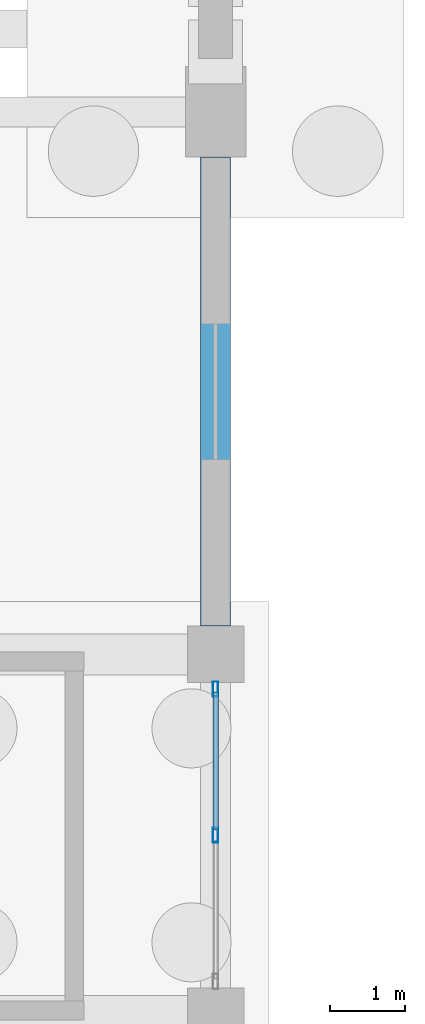
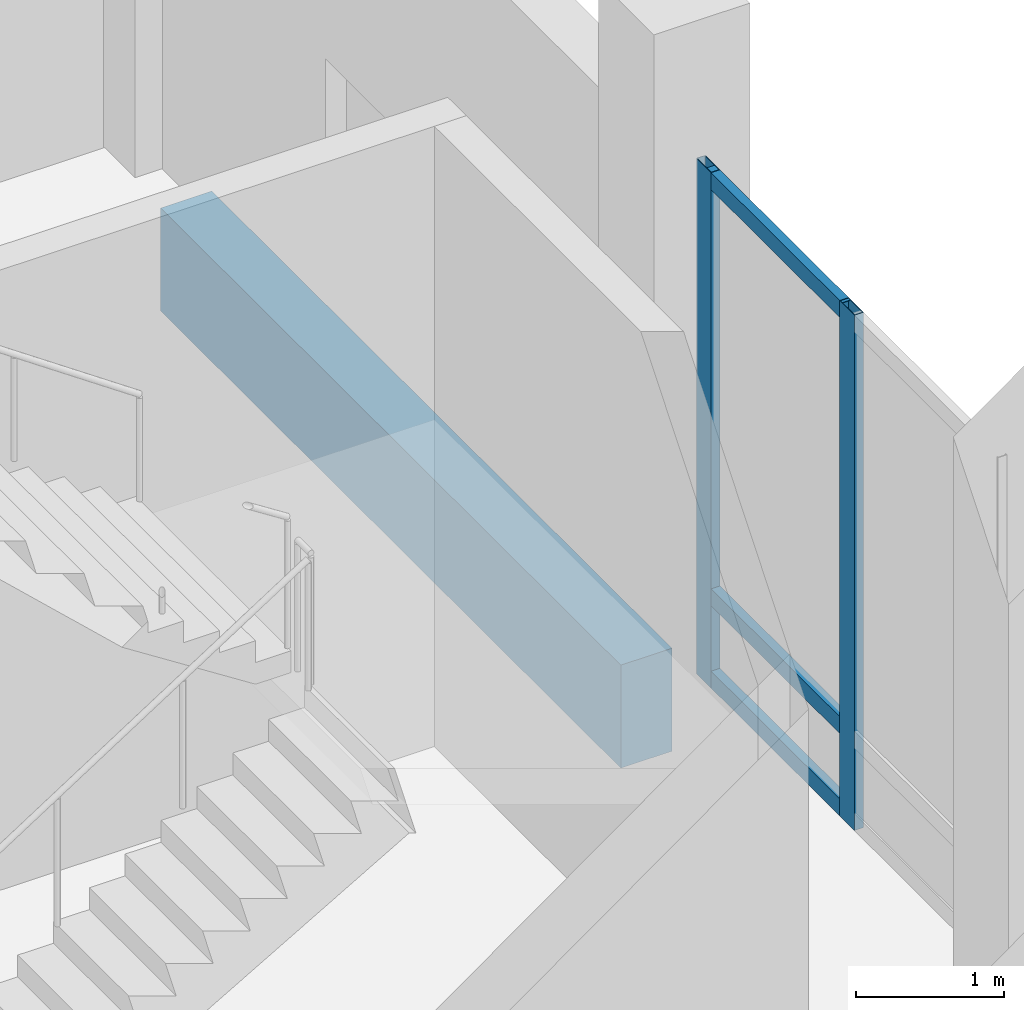
# One storey, part 115 of 192: 5 members, 1 beam, 1 element without a shape of its own.
"""IFC4 building model written with IfcOpenShell, lengths in metres."""

from ifc_helpers import new_model, si_unit, direction, frame, origin, origin_2d, place, context, subcontext, project, spatial, rectangle, hollow_rectangle, extrude, material, material_profile, profile_set, type_object, element, aggregate, save


model = new_model("IFC4")

# Units and contexts
model_context = context("Model", 3, precision=1e-05, world=origin(), true_north=direction((0.0, 1.0)))
body_context = subcontext(model_context, "Body", "Model", "MODEL_VIEW")
ifc_project = project(units=[si_unit("LENGTHUNIT", "METRE"), si_unit("AREAUNIT", "SQUARE_METRE"), si_unit("VOLUMEUNIT", "CUBIC_METRE"), si_unit("PLANEANGLEUNIT", "RADIAN"), si_unit("MASSUNIT", "GRAM", prefix="KILO")], contexts=[model_context])

# Site, building, storey
site_placement = place(None, origin())
site = spatial("IfcSite", under=ifc_project, at=site_placement, CompositionType="ELEMENT")
building_placement = place(site_placement, origin())
building = spatial("IfcBuilding", under=site, at=building_placement, Name="Cendralis Lancet Convention Centre", CompositionType="ELEMENT")
storey_placement = place(building_placement, origin())
storey = spatial("IfcBuildingStorey", under=building, at=storey_placement, Name="L00", CompositionType="ELEMENT", Elevation=0.0)

# Curtain wall, members
ifc_material_1 = material(Name="Anodised bronze architectural aluminium", Category="aluminium")
curtain_wall_type = type_object("IfcCurtainWallType", Name="ARC-CW-PL01", PredefinedType="USERDEFINED", material=ifc_material_1)
curtain_wall_placement = place(storey_placement, origin())
curtain_wall = element("IfcCurtainWall", 1, at=curtain_wall_placement, inside=storey, type_object=curtain_wall_type, Name="L00 Curtain Wall CW-PL1 #115", ObjectType="CURTAIN WALL", PredefinedType="USERDEFINED")
ifc_material_profile_1 = material_profile(ifc_material_1, hollow_rectangle(XDim=0.070068359375, YDim=0.199951171875, WallThickness=0.0048828125, at=origin_2d()), Name="AL-MULL 70x200x5.0")
ifc_profile_set_1 = profile_set([ifc_material_profile_1], Name="Anodised bronze architectural aluminium")
member_type_1 = type_object("IfcMemberType", Name="ARC-CW-ML02", PredefinedType="MULLION", material=ifc_profile_set_1)
member_1_placement = place(storey_placement, frame((208.800048828125, 83.5400390625, 0.0), z_axis=(0.0, 0.0, 1.0), x_axis=(1.0, 0.0, 0.0)))
member_1 = element("IfcMember", 2, at=member_1_placement, type_object=member_type_1, Name="Mullion CW2-CW-PL1-L00-115-M0", PredefinedType="MULLION", context=body_context, shape_type="SweptSolid", body=[
    extrude(hollow_rectangle(XDim=0.070068359375, YDim=0.199951171875, WallThickness=0.0048828125, at=origin_2d()), origin(), (0.0, 0.0, 1.0), 4.2548828125),
])
member_2_placement = place(storey_placement, frame((208.800048828125, 81.60009765625, 0.0), z_axis=(0.0, 0.0, 1.0), x_axis=(1.0, 0.0, 0.0)))
member_2 = element("IfcMember", 3, at=member_2_placement, type_object=member_type_1, Name="Mullion CW2-CW-PL1-L00-115-M1", PredefinedType="MULLION", context=body_context, shape_type="SweptSolid", body=[
    extrude(hollow_rectangle(XDim=0.070068359375, YDim=0.199951171875, WallThickness=0.0048828125, at=origin_2d()), origin(), (0.0, 0.0, 1.0), 4.2548828125),
])
ifc_material_profile_2 = material_profile(ifc_material_1, hollow_rectangle(XDim=0.070068359375, YDim=0.139892578125, WallThickness=0.00390625, at=origin_2d()), Name="AL-TRAN 70x140x4.0")
ifc_profile_set_2 = profile_set([ifc_material_profile_2], Name="Anodised bronze architectural aluminium")
member_type_2 = type_object("IfcMemberType", Name="ARC-CW-TR02", PredefinedType="USERDEFINED", material=ifc_profile_set_2)
member_3_placement = place(storey_placement, frame((208.800048828125, 83.5048828125, 0.070068359375), z_axis=(0.0, -1.0, 0.0), x_axis=(1.0, 0.0, 0.0)))
member_3 = element("IfcMember", 4, at=member_3_placement, type_object=member_type_2, Name="Transom CW2-CW-PL1-L00-115-T0BOT", ObjectType="TRANSOM", PredefinedType="USERDEFINED", context=body_context, shape_type="SweptSolid", body=[
    extrude(hollow_rectangle(XDim=0.070068359375, YDim=0.139892578125, WallThickness=0.00390625, at=origin_2d()), origin(), (0.0, 0.0, 1.0), 1.8349609375),
])
member_4_placement = place(storey_placement, frame((208.800048828125, 83.5048828125, 0.75), z_axis=(0.0, -1.0, 0.0), x_axis=(1.0, 0.0, 0.0)))
member_4 = element("IfcMember", 5, at=member_4_placement, type_object=member_type_2, Name="Transom CW2-CW-PL1-L00-115-T0MID", ObjectType="TRANSOM", PredefinedType="USERDEFINED", context=body_context, shape_type="SweptSolid", body=[
    extrude(hollow_rectangle(XDim=0.070068359375, YDim=0.139892578125, WallThickness=0.00390625, at=origin_2d()), origin(), (0.0, 0.0, 1.0), 1.8349609375),
])
member_5_placement = place(storey_placement, frame((208.800048828125, 83.5048828125, 4.18505859375), z_axis=(0.0, -1.0, 0.0), x_axis=(1.0, 0.0, 0.0)))
member_5 = element("IfcMember", 6, at=member_5_placement, type_object=member_type_2, Name="Transom CW2-CW-PL1-L00-115-T0TOP", ObjectType="TRANSOM", PredefinedType="USERDEFINED", context=body_context, shape_type="SweptSolid", body=[
    extrude(hollow_rectangle(XDim=0.070068359375, YDim=0.139892578125, WallThickness=0.00390625, at=origin_2d()), origin(), (0.0, 0.0, 1.0), 1.8349609375),
])
aggregate(curtain_wall, [member_1, member_2, member_3, member_4, member_5])

# Beam
ifc_material_2 = material(Name="Concrete G40 (C40/50)", Category="concrete")
ifc_material_profile_3 = material_profile(ifc_material_2, rectangle(XDim=0.39990234375, YDim=0.85009765625, at=origin_2d()), Name="RCB 400x850")
ifc_profile_set_3 = profile_set([ifc_material_profile_3], Name="Concrete G40 (C40/50)")
beam_type = type_object("IfcBeamType", Name="STR-SP-SP02", PredefinedType="SPANDREL", material=ifc_profile_set_3)
beam_placement = place(storey_placement, frame((208.800048828125, 84.375, -0.7451171875), z_axis=(0.0, 1.0, 0.0), x_axis=(-1.0, 0.0, 0.0)))
element("IfcBeam", 7, at=beam_placement, inside=storey, type_object=beam_type, Name="L00 Beam SP02 #1386", PredefinedType="SPANDREL", context=body_context, shape_type="SweptSolid", body=[
    extrude(rectangle(XDim=0.39990234375, YDim=0.85009765625, at=origin_2d()), origin(), (0.0, 0.0, 1.0), 6.22509765625),
])

save(model, "model.ifc")
